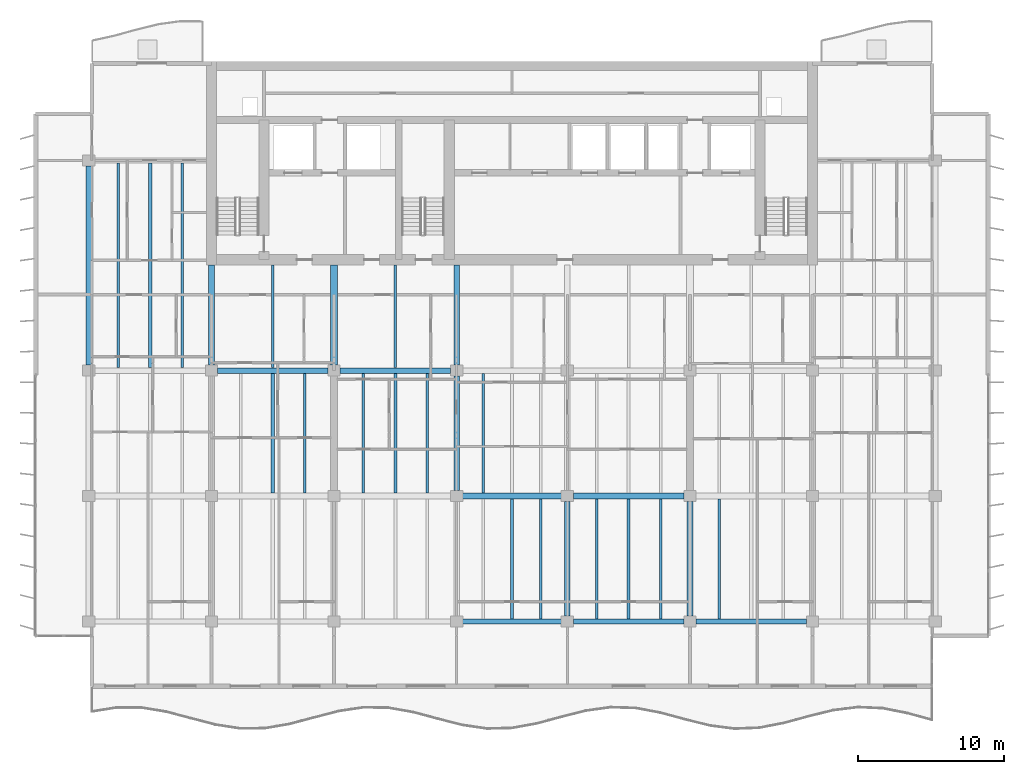
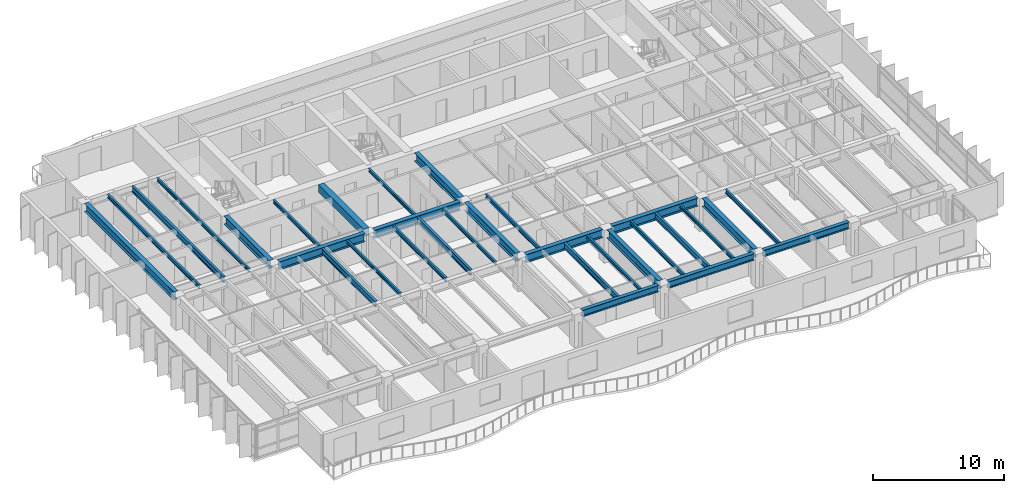
# One storey, part 3 of 18: 31 beams.
"""IFC4 building model written with IfcOpenShell, lengths in metres."""

from ifc_helpers import new_model, si_unit, direction, frame, origin, origin_2d, place, context, subcontext, project, spatial, rectangle, i_section, extrude, material, material_profile, profile_set, type_object, element, save


model = new_model("IFC4")

# Units and contexts
model_context = context("Model", 3, precision=1e-05, world=origin(), true_north=direction((0.0, 1.0)))
body_context = subcontext(model_context, "Body", "Model", "MODEL_VIEW")
ifc_project = project(units=[si_unit("LENGTHUNIT", "METRE"), si_unit("AREAUNIT", "SQUARE_METRE"), si_unit("VOLUMEUNIT", "CUBIC_METRE"), si_unit("PLANEANGLEUNIT", "RADIAN"), si_unit("MASSUNIT", "GRAM", prefix="KILO")], contexts=[model_context])

# Site, building, storey
site_placement = place(None, origin())
site = spatial("IfcSite", under=ifc_project, at=site_placement, CompositionType="ELEMENT")
building_placement = place(site_placement, origin())
building = spatial("IfcBuilding", under=site, at=building_placement, Name="Caelmar Bay Residences", CompositionType="ELEMENT")
storey_placement = place(building_placement, frame((0.0, 0.0, 177.0)))
storey = spatial("IfcBuildingStorey", under=building, at=storey_placement, Name="L49", CompositionType="ELEMENT", Elevation=177.0)

# Beams
ifc_material_1 = material(Name="Steel ASTM A992 Grade 50", Category="steel")
ifc_material_profile_1 = material_profile(ifc_material_1, i_section(OverallWidth=0.381103515625, OverallDepth=0.77197265625, WebThickness=0.0166015625, FlangeThickness=0.027099609375, FilletRadius=0.0166015625, at=origin_2d()), Name="W30X173")
ifc_profile_set_1 = profile_set([ifc_material_profile_1], Name="Steel ASTM A992 Grade 50")
beam_type_1 = type_object("IfcBeamType", Name="BM-GRD-W30X173", PredefinedType="BEAM", material=ifc_profile_set_1)
beam_1_placement = place(storey_placement, frame((35.514892578125, 20.800048828125, 2.6640625), z_axis=(1.0, 0.0, 0.0), x_axis=(0.0, 1.0, 0.0)))
element("IfcBeam", 1, at=beam_1_placement, inside=storey, type_object=beam_type_1, Name="L49 East-West Girder Y=20.80 (35.1-42.7)", PredefinedType="BEAM", context=body_context, shape_type="SweptSolid", body=[
    extrude(i_section(OverallWidth=0.381103515625, OverallDepth=0.77197265625, WebThickness=0.0166015625, FlangeThickness=0.027099609375, FilletRadius=0.0166015625, at=origin_2d()), origin(), (0.0, 0.0, 1.0), 6.77001953125),
])
beam_2_placement = place(storey_placement, frame((43.114990234375, 20.800048828125, 2.6640625), z_axis=(1.0, 0.0, 0.0), x_axis=(0.0, 1.0, 0.0)))
element("IfcBeam", 2, at=beam_2_placement, inside=storey, type_object=beam_type_1, Name="L49 East-West Girder Y=20.80 (42.7-51.1)", PredefinedType="BEAM", context=body_context, shape_type="SweptSolid", body=[
    extrude(i_section(OverallWidth=0.381103515625, OverallDepth=0.77197265625, WebThickness=0.0166015625, FlangeThickness=0.027099609375, FilletRadius=0.0166015625, at=origin_2d()), origin(), (0.0, 0.0, 1.0), 7.570068359375),
])
beam_3_placement = place(storey_placement, frame((18.715087890625, 29.39990234375, 2.6640625), z_axis=(1.0, 0.0, 0.0), x_axis=(0.0, 1.0, 0.0)))
element("IfcBeam", 3, at=beam_3_placement, inside=storey, type_object=beam_type_1, Name="L49 East-West Girder Y=29.40 (18.3-26.7)", PredefinedType="BEAM", context=body_context, shape_type="SweptSolid", body=[
    extrude(i_section(OverallWidth=0.381103515625, OverallDepth=0.77197265625, WebThickness=0.0166015625, FlangeThickness=0.027099609375, FilletRadius=0.0166015625, at=origin_2d()), origin(), (0.0, 0.0, 1.0), 7.56982421875),
])
beam_4_placement = place(storey_placement, frame((27.114990234375, 29.39990234375, 2.6640625), z_axis=(1.0, 0.0, 0.0), x_axis=(0.0, 1.0, 0.0)))
element("IfcBeam", 4, at=beam_4_placement, inside=storey, type_object=beam_type_1, Name="L49 East-West Girder Y=29.40 (26.7-35.1)", PredefinedType="BEAM", context=body_context, shape_type="SweptSolid", body=[
    extrude(i_section(OverallWidth=0.381103515625, OverallDepth=0.77197265625, WebThickness=0.0166015625, FlangeThickness=0.027099609375, FilletRadius=0.0166015625, at=origin_2d()), origin(), (0.0, 0.0, 1.0), 7.570068359375),
])
beam_5_placement = place(storey_placement, frame((9.89990234375, 29.764892578125, 2.6640625), z_axis=(0.0, 1.0, 0.0), x_axis=(-1.0, 0.0, 0.0)))
element("IfcBeam", 5, at=beam_5_placement, inside=storey, type_object=beam_type_1, Name="L49 North-South Girder X=9.90 (29.4-43.8)", PredefinedType="BEAM", context=body_context, shape_type="SweptSolid", body=[
    extrude(i_section(OverallWidth=0.381103515625, OverallDepth=0.77197265625, WebThickness=0.0166015625, FlangeThickness=0.027099609375, FilletRadius=0.0166015625, at=origin_2d()), origin(), (0.0, 0.0, 1.0), 13.670166015625),
])
for number, where, z_axis, x_axis, name in (
    (6, (18.300048828125, 29.764892578125, 2.6640625), (0.0, 1.0, 0.0), (-1.0, 0.0, 0.0), "L49 Core Tie Girder X=18.30"),
    (7, (35.10009765625, 29.764892578125, 2.6640625), (0.0, 1.0, 0.0), (-1.0, 0.0, 0.0), "L49 Core Tie Girder X=35.10"),
):
    element("IfcBeam", number, at=place(storey_placement, frame(where, z_axis=z_axis, x_axis=x_axis)), inside=storey, type_object=beam_type_1, Name=name, PredefinedType="BEAM", context=body_context, shape_type="SweptSolid", body=[
        extrude(i_section(OverallWidth=0.381103515625, OverallDepth=0.77197265625, WebThickness=0.0166015625, FlangeThickness=0.027099609375, FilletRadius=0.0166015625, at=origin_2d()), origin(), (0.0, 0.0, 1.0), 6.885009765625),
    ])
beam_6_placement = place(storey_placement, frame((35.10009765625, 21.1650390625, 2.6640625), z_axis=(0.0, 1.0, 0.0), x_axis=(-1.0, 0.0, 0.0)))
element("IfcBeam", 8, at=beam_6_placement, inside=storey, type_object=beam_type_1, Name="L49 North-South Girder X=35.10 (20.8-29.4)", PredefinedType="BEAM", context=body_context, shape_type="SweptSolid", body=[
    extrude(i_section(OverallWidth=0.381103515625, OverallDepth=0.77197265625, WebThickness=0.0166015625, FlangeThickness=0.027099609375, FilletRadius=0.0166015625, at=origin_2d()), origin(), (0.0, 0.0, 1.0), 7.869873046875),
])
for number, where, z_axis, x_axis, name in (
    (9, (42.699951171875, 12.56494140625, 2.6640625), (0.0, 1.0, 0.0), (-1.0, 0.0, 0.0), "L49 North-South Girder X=42.70 (12.2-20.8)"),
    (10, (51.10009765625, 12.56494140625, 2.6640625), (0.0, 1.0, 0.0), (-1.0, 0.0, 0.0), "L49 North-South Girder X=51.10 (12.2-20.8)"),
):
    element("IfcBeam", number, at=place(storey_placement, frame(where, z_axis=z_axis, x_axis=x_axis)), inside=storey, type_object=beam_type_1, Name=name, PredefinedType="BEAM", context=body_context, shape_type="SweptSolid", body=[
        extrude(i_section(OverallWidth=0.381103515625, OverallDepth=0.77197265625, WebThickness=0.0166015625, FlangeThickness=0.027099609375, FilletRadius=0.0166015625, at=origin_2d()), origin(), (0.0, 0.0, 1.0), 7.8701171875),
    ])
ifc_material_profile_2 = material_profile(ifc_material_1, i_section(OverallWidth=0.1650390625, OverallDepth=0.31005859375, WebThickness=0.005859375, FlangeThickness=0.009765625, FilletRadius=0.007568359375, at=origin_2d()), Name="W12X26")
ifc_profile_set_2 = profile_set([ifc_material_profile_2], Name="Steel ASTM A992 Grade 50")
beam_type_2 = type_object("IfcBeamType", Name="BM-JST-W12X26", PredefinedType="JOIST", material=ifc_profile_set_2)
for number, where, z_axis, x_axis, name in (
    (11, (40.8759765625, 12.362548828125, 2.89501953125), (0.0, 1.0, 0.0), (-1.0, 0.0, 0.0), "L49 Composite Floor Joist 12"),
    (12, (49.083984375, 12.362548828125, 2.89501953125), (0.0, 1.0, 0.0), (-1.0, 0.0, 0.0), "L49 Composite Floor Joist 15"),
):
    element("IfcBeam", number, at=place(storey_placement, frame(where, z_axis=z_axis, x_axis=x_axis)), inside=storey, type_object=beam_type_2, Name=name, PredefinedType="JOIST", context=body_context, shape_type="SweptSolid", body=[
        extrude(i_section(OverallWidth=0.1650390625, OverallDepth=0.31005859375, WebThickness=0.005859375, FlangeThickness=0.009765625, FilletRadius=0.007568359375, at=origin_2d()), origin(), (0.0, 0.0, 1.0), 8.2470703125),
    ])
for number, where, z_axis, x_axis, name in (
    (13, (24.68408203125, 20.990478515625, 2.89501953125), (0.0, 1.0, 0.0), (-1.0, 0.0, 0.0), "L49 Composite Floor Joist 27"),
    (14, (33.083984375, 20.990478515625, 2.89501953125), (0.0, 1.0, 0.0), (-1.0, 0.0, 0.0), "L49 Composite Floor Joist 30"),
):
    element("IfcBeam", number, at=place(storey_placement, frame(where, z_axis=z_axis, x_axis=x_axis)), inside=storey, type_object=beam_type_2, Name=name, PredefinedType="JOIST", context=body_context, shape_type="SweptSolid", body=[
        extrude(i_section(OverallWidth=0.1650390625, OverallDepth=0.31005859375, WebThickness=0.005859375, FlangeThickness=0.009765625, FilletRadius=0.007568359375, at=origin_2d()), origin(), (0.0, 0.0, 1.0), 8.218994140625),
    ])
for number, where, z_axis, x_axis, name in (
    (15, (22.5, 29.590576171875, 2.89501953125), (0.0, 1.0, 0.0), (-1.0, 0.0, 0.0), "L49 Core-Band Composite Joist 43"),
    (16, (30.89990234375, 29.590576171875, 2.89501953125), (0.0, 1.0, 0.0), (-1.0, 0.0, 0.0), "L49 Core-Band Composite Joist 44"),
):
    element("IfcBeam", number, at=place(storey_placement, frame(where, z_axis=z_axis, x_axis=x_axis)), inside=storey, type_object=beam_type_2, Name=name, PredefinedType="JOIST", context=body_context, shape_type="SweptSolid", body=[
        extrude(i_section(OverallWidth=0.1650390625, OverallDepth=0.31005859375, WebThickness=0.005859375, FlangeThickness=0.009765625, FilletRadius=0.007568359375, at=origin_2d()), origin(), (0.0, 0.0, 1.0), 7.059326171875),
    ])
beam_7_placement = place(storey_placement, frame((16.283935546875, 29.590576171875, 2.89501953125), z_axis=(0.0, 1.0, 0.0), x_axis=(-1.0, 0.0, 0.0)))
element("IfcBeam", 17, at=beam_7_placement, inside=storey, type_object=beam_type_2, Name="L49 Composite Floor Joist 50", PredefinedType="JOIST", context=body_context, shape_type="SweptSolid", body=[
    extrude(i_section(OverallWidth=0.1650390625, OverallDepth=0.31005859375, WebThickness=0.005859375, FlangeThickness=0.009765625, FilletRadius=0.007568359375, at=origin_2d()), origin(), (0.0, 0.0, 1.0), 14.046875),
])
ifc_material_profile_3 = material_profile(ifc_material_1, i_section(OverallWidth=0.1708984375, OverallDepth=0.35595703125, WebThickness=0.007080078125, FlangeThickness=0.01171875, FilletRadius=0.007568359375, at=origin_2d()), Name="W14X34")
ifc_profile_set_3 = profile_set([ifc_material_profile_3], Name="Steel ASTM A992 Grade 50")
beam_type_3 = type_object("IfcBeamType", Name="BM-JST-W14X34", PredefinedType="JOIST", material=ifc_profile_set_3)
for number, where, z_axis, x_axis, name in (
    (18, (44.716064453125, 12.362548828125, 2.8720703125), (0.0, 1.0, 0.0), (-1.0, 0.0, 0.0), "L49 Composite Floor Joist 13"),
    (19, (53.115966796875, 12.362548828125, 2.8720703125), (0.0, 1.0, 0.0), (-1.0, 0.0, 0.0), "L49 Composite Floor Joist 16"),
):
    element("IfcBeam", number, at=place(storey_placement, frame(where, z_axis=z_axis, x_axis=x_axis)), inside=storey, type_object=beam_type_3, Name=name, PredefinedType="JOIST", context=body_context, shape_type="SweptSolid", body=[
        extrude(i_section(OverallWidth=0.1708984375, OverallDepth=0.35595703125, WebThickness=0.007080078125, FlangeThickness=0.01171875, FilletRadius=0.007568359375, at=origin_2d()), origin(), (0.0, 0.0, 1.0), 8.2470703125),
    ])
for number, where, z_axis, x_axis, name in (
    (20, (28.716064453125, 20.990478515625, 2.8720703125), (0.0, 1.0, 0.0), (-1.0, 0.0, 0.0), "L49 Composite Floor Joist 28"),
    (21, (36.924072265625, 20.990478515625, 2.8720703125), (0.0, 1.0, 0.0), (-1.0, 0.0, 0.0), "L49 Composite Floor Joist 31"),
):
    element("IfcBeam", number, at=place(storey_placement, frame(where, z_axis=z_axis, x_axis=x_axis)), inside=storey, type_object=beam_type_3, Name=name, PredefinedType="JOIST", context=body_context, shape_type="SweptSolid", body=[
        extrude(i_section(OverallWidth=0.1708984375, OverallDepth=0.35595703125, WebThickness=0.007080078125, FlangeThickness=0.01171875, FilletRadius=0.007568359375, at=origin_2d()), origin(), (0.0, 0.0, 1.0), 8.218994140625),
    ])
beam_8_placement = place(storey_placement, frame((11.916015625, 29.590576171875, 2.8720703125), z_axis=(0.0, 1.0, 0.0), x_axis=(-1.0, 0.0, 0.0)))
element("IfcBeam", 22, at=beam_8_placement, inside=storey, type_object=beam_type_3, Name="L49 Composite Floor Joist 48", PredefinedType="JOIST", context=body_context, shape_type="SweptSolid", body=[
    extrude(i_section(OverallWidth=0.1708984375, OverallDepth=0.35595703125, WebThickness=0.007080078125, FlangeThickness=0.01171875, FilletRadius=0.007568359375, at=origin_2d()), origin(), (0.0, 0.0, 1.0), 14.046875),
])
ifc_material_profile_4 = material_profile(ifc_material_1, i_section(OverallWidth=0.2099609375, OverallDepth=0.535888671875, WebThickness=0.010986328125, FlangeThickness=0.017333984375, FilletRadius=0.0126953125, at=origin_2d()), Name="W21X68")
ifc_profile_set_4 = profile_set([ifc_material_profile_4], Name="Steel ASTM A992 Grade 50")
beam_type_4 = type_object("IfcBeamType", Name="BM-JST-W21X68", PredefinedType="JOIST", material=ifc_profile_set_4)
for number, where, z_axis, x_axis, name in (
    (23, (38.89990234375, 12.362548828125, 2.781982421875), (0.0, 1.0, 0.0), (-1.0, 0.0, 0.0), "L49 Composite Floor Joist 11"),
    (24, (46.89990234375, 12.362548828125, 2.781982421875), (0.0, 1.0, 0.0), (-1.0, 0.0, 0.0), "L49 Composite Floor Joist 14"),
):
    element("IfcBeam", number, at=place(storey_placement, frame(where, z_axis=z_axis, x_axis=x_axis)), inside=storey, type_object=beam_type_4, Name=name, PredefinedType="JOIST", context=body_context, shape_type="SweptSolid", body=[
        extrude(i_section(OverallWidth=0.2099609375, OverallDepth=0.535888671875, WebThickness=0.010986328125, FlangeThickness=0.017333984375, FilletRadius=0.0126953125, at=origin_2d()), origin(), (0.0, 0.0, 1.0), 8.2470703125),
    ])
for number, where, z_axis, x_axis, name in (
    (25, (22.5, 20.990478515625, 2.781982421875), (0.0, 1.0, 0.0), (-1.0, 0.0, 0.0), "L49 Composite Floor Joist 26"),
    (26, (30.89990234375, 20.990478515625, 2.781982421875), (0.0, 1.0, 0.0), (-1.0, 0.0, 0.0), "L49 Composite Floor Joist 29"),
):
    element("IfcBeam", number, at=place(storey_placement, frame(where, z_axis=z_axis, x_axis=x_axis)), inside=storey, type_object=beam_type_4, Name=name, PredefinedType="JOIST", context=body_context, shape_type="SweptSolid", body=[
        extrude(i_section(OverallWidth=0.2099609375, OverallDepth=0.535888671875, WebThickness=0.010986328125, FlangeThickness=0.017333984375, FilletRadius=0.0126953125, at=origin_2d()), origin(), (0.0, 0.0, 1.0), 8.218994140625),
    ])
beam_9_placement = place(storey_placement, frame((14.10009765625, 29.590576171875, 2.781982421875), z_axis=(0.0, 1.0, 0.0), x_axis=(-1.0, 0.0, 0.0)))
element("IfcBeam", 27, at=beam_9_placement, inside=storey, type_object=beam_type_4, Name="L49 Composite Floor Joist 49", PredefinedType="JOIST", context=body_context, shape_type="SweptSolid", body=[
    extrude(i_section(OverallWidth=0.2099609375, OverallDepth=0.535888671875, WebThickness=0.010986328125, FlangeThickness=0.017333984375, FilletRadius=0.0126953125, at=origin_2d()), origin(), (0.0, 0.0, 1.0), 14.046875),
])
ifc_material_2 = material(Name="Concrete f'c 55 MPa (8,000 psi)", Category="concrete")
ifc_material_profile_5 = material_profile(ifc_material_2, rectangle(XDim=0.5, YDim=0.699951171875, at=origin_2d()), Name="RC-BM-500X700")
ifc_profile_set_5 = profile_set([ifc_material_profile_5], Name="Concrete f'c 55 MPa (8,000 psi)")
beam_type_5 = type_object("IfcBeamType", Name="BM-RC-500X700", PredefinedType="LINTEL", material=ifc_profile_set_5)
beam_10_placement = place(storey_placement, frame((26.699951171875, 29.764892578125, 2.699951171875), z_axis=(0.0, 1.0, 0.0), x_axis=(-1.0, 0.0, 0.0)))
element("IfcBeam", 28, at=beam_10_placement, inside=storey, type_object=beam_type_5, Name="L49 Shear-Wall Corridor Coupling Lintel W5", PredefinedType="LINTEL", context=body_context, shape_type="SweptSolid", body=[
    extrude(rectangle(XDim=0.5, YDim=0.699951171875, at=origin_2d()), origin(), (0.0, 0.0, 1.0), 6.885009765625),
])
ifc_material_profile_6 = material_profile(ifc_material_1, i_section(OverallWidth=0.324951171875, OverallDepth=0.616943359375, WebThickness=0.013916015625, FlangeThickness=0.021484375, FilletRadius=0.0126953125, at=origin_2d()), Name="W24X117")
ifc_profile_set_6 = profile_set([ifc_material_profile_6], Name="Steel ASTM A992 Grade 50")
beam_type_6 = type_object("IfcBeamType", Name="BM-SPN-W24X117", PredefinedType="SPANDREL", material=ifc_profile_set_6)
beam_11_placement = place(storey_placement, frame((35.514892578125, 12.199951171875, 2.741455078125), z_axis=(1.0, 0.0, 0.0), x_axis=(0.0, 1.0, 0.0)))
element("IfcBeam", 29, at=beam_11_placement, inside=storey, type_object=beam_type_6, Name="L49 East-West Girder Y=12.20 (35.1-42.7)", PredefinedType="SPANDREL", context=body_context, shape_type="SweptSolid", body=[
    extrude(i_section(OverallWidth=0.324951171875, OverallDepth=0.616943359375, WebThickness=0.013916015625, FlangeThickness=0.021484375, FilletRadius=0.0126953125, at=origin_2d()), origin(), (0.0, 0.0, 1.0), 6.77001953125),
])
for number, where, z_axis, x_axis, name in (
    (30, (43.114990234375, 12.199951171875, 2.741455078125), (1.0, 0.0, 0.0), (0.0, 1.0, 0.0), "L49 East-West Girder Y=12.20 (42.7-51.1)"),
    (31, (51.514892578125, 12.199951171875, 2.741455078125), (1.0, 0.0, 0.0), (0.0, 1.0, 0.0), "L49 East-West Girder Y=12.20 (51.1-59.5)"),
):
    element("IfcBeam", number, at=place(storey_placement, frame(where, z_axis=z_axis, x_axis=x_axis)), inside=storey, type_object=beam_type_6, Name=name, PredefinedType="SPANDREL", context=body_context, shape_type="SweptSolid", body=[
        extrude(i_section(OverallWidth=0.324951171875, OverallDepth=0.616943359375, WebThickness=0.013916015625, FlangeThickness=0.021484375, FilletRadius=0.0126953125, at=origin_2d()), origin(), (0.0, 0.0, 1.0), 7.570068359375),
    ])

save(model, "model.ifc")
